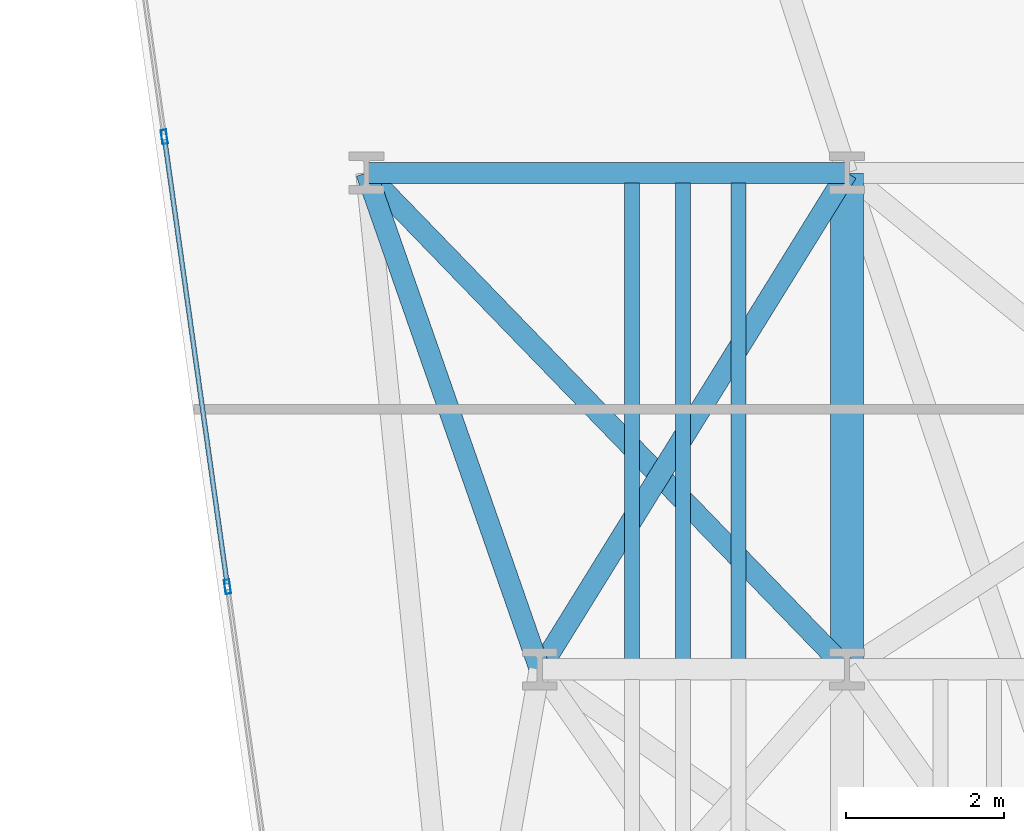
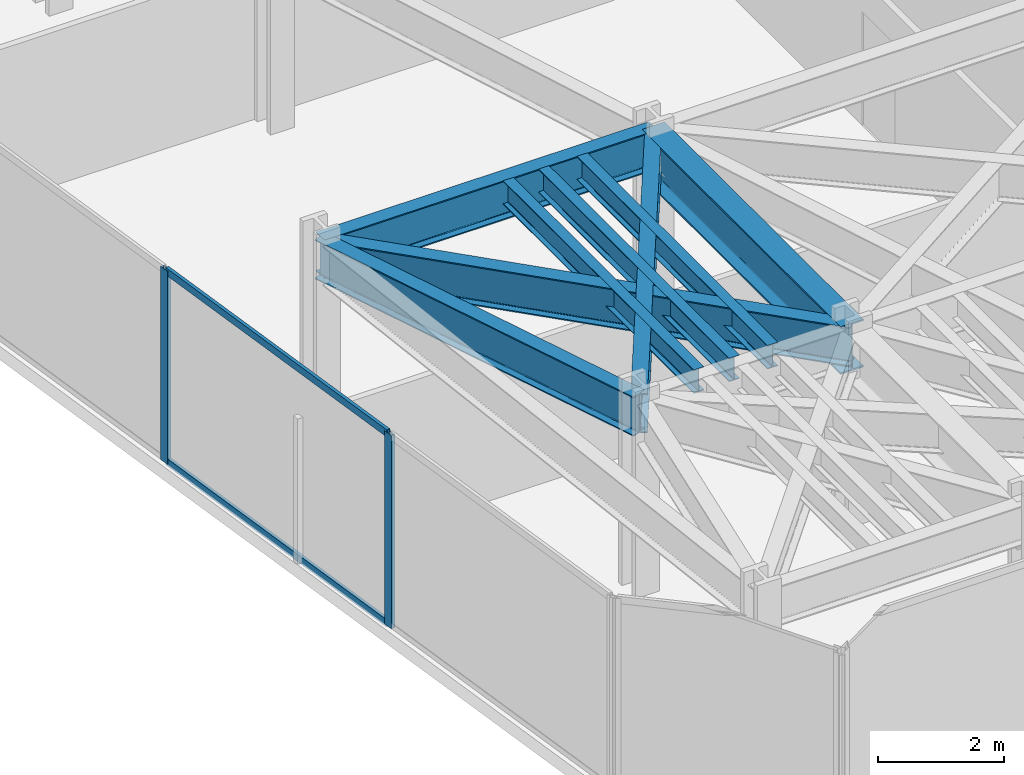
# One storey, part 4 of 25: 8 beams, 4 members, 1 element without a shape of its own.
"""IFC4 building model written with IfcOpenShell, lengths in metres."""

from ifc_helpers import new_model, si_unit, direction, frame, origin, origin_2d, place, context, subcontext, project, spatial, hollow_rectangle, i_section, extrude, material, layer, layer_set, material_profile, profile_set, type_object, element, aggregate, save


model = new_model("IFC4")

# Units and contexts
model_context = context("Model", 3, precision=1e-05, world=origin(), true_north=direction((0.0, 1.0)))
body_context = subcontext(model_context, "Body", "Model", "MODEL_VIEW")
ifc_project = project(units=[si_unit("LENGTHUNIT", "METRE"), si_unit("AREAUNIT", "SQUARE_METRE"), si_unit("VOLUMEUNIT", "CUBIC_METRE"), si_unit("PLANEANGLEUNIT", "RADIAN"), si_unit("MASSUNIT", "GRAM", prefix="KILO")], contexts=[model_context])

# Site, building, storey
site_placement = place(None, origin())
site = spatial("IfcSite", under=ifc_project, at=site_placement, CompositionType="ELEMENT")
building_placement = place(site_placement, origin())
building = spatial("IfcBuilding", under=site, at=building_placement, Name="Kravanh Interchange Tower", CompositionType="ELEMENT")
storey_placement = place(building_placement, frame((0.0, 0.0, 49.5)))
storey = spatial("IfcBuildingStorey", under=building, at=storey_placement, Name="L11", CompositionType="ELEMENT", Elevation=49.5)

# Curtain wall, members
ifc_material_1 = material(Name="Anodised Bronze Aluminium", Category="aluminium")
ifc_layer = layer(ifc_material_1, 0.179931640625)
ifc_layer_set = layer_set([ifc_layer], Name="Unitised Curtain Wall System CW-Z1 Lower Office")
curtain_wall_type = type_object("IfcCurtainWallType", Name="Unitised Curtain Wall System CW-Z1 Lower Office", PredefinedType="NOTDEFINED", material=ifc_layer_set)
curtain_wall_placement = place(storey_placement, origin())
curtain_wall = element("IfcCurtainWall", 1, at=curtain_wall_placement, inside=storey, type_object=curtain_wall_type, Name="L11 Unitised Curtain Wall CW-L11-01", PredefinedType="NOTDEFINED")
ifc_material_2 = material(Name="Anodised Bronze Aluminium", Category="aluminium")
ifc_material_profile_1 = material_profile(ifc_material_2, hollow_rectangle(XDim=0.070068359375, YDim=0.179931640625, WallThickness=0.00390625, at=origin_2d()), Name="ALU70X180X4")
ifc_profile_set_1 = profile_set([ifc_material_profile_1], Name="Anodised Bronze Aluminium")
member_type_1 = type_object("IfcMemberType", Name="Curtain Wall Mullion ALU70X180X4 Bronze", PredefinedType="MULLION", material=ifc_profile_set_1)
member_1_placement = place(storey_placement, frame((9.6376953125, 9.247314453125, 0.0), z_axis=(0.0, 0.0, 1.0), x_axis=(-0.990267585682, -0.139176538065, 0.0)))
member_1 = element("IfcMember", 2, at=member_1_placement, type_object=member_type_1, Name="CW-Z1 mullion 2", PredefinedType="MULLION", context=body_context, shape_type="SweptSolid", body=[
    extrude(hollow_rectangle(XDim=0.070068359375, YDim=0.179931640625, WallThickness=0.00390625, at=origin_2d()), origin(), (0.0, 0.0, 1.0), 3.739990234375),
])
member_2_placement = place(storey_placement, frame((8.835205078125, 14.957763671875, 0.0), z_axis=(0.0, 0.0, 1.0), x_axis=(-0.990267585682, -0.139176538065, 0.0)))
member_2 = element("IfcMember", 3, at=member_2_placement, type_object=member_type_1, Name="CW-Z1 mullion 3", PredefinedType="MULLION", context=body_context, shape_type="SweptSolid", body=[
    extrude(hollow_rectangle(XDim=0.070068359375, YDim=0.179931640625, WallThickness=0.00390625, at=origin_2d()), origin(), (0.0, 0.0, 1.0), 3.739990234375),
])
ifc_material_3 = material(Name="Anodised Bronze Aluminium", Category="aluminium")
ifc_material_profile_2 = material_profile(ifc_material_3, hollow_rectangle(XDim=0.06005859375, YDim=0.139892578125, WallThickness=0.00390625, at=origin_2d()), Name="ALU60X140X4")
ifc_profile_set_2 = profile_set([ifc_material_profile_2], Name="Anodised Bronze Aluminium")
member_type_2 = type_object("IfcMemberType", Name="Curtain Wall Transom ALU60X140X4 Bronze", PredefinedType="USERDEFINED", material=ifc_profile_set_2)
member_3_placement = place(storey_placement, frame((9.633056640625, 9.281982421875, 0.030029296875), z_axis=(-0.139200984921, 0.990264149506, 0.0), x_axis=(-0.990264149506, -0.139200984921, 0.0)))
member_3 = element("IfcMember", 4, at=member_3_placement, type_object=member_type_2, Name="CW-Z1 transom 2.1", ObjectType="TRANSOM", PredefinedType="USERDEFINED", context=body_context, shape_type="SweptSolid", body=[
    extrude(hollow_rectangle(XDim=0.06005859375, YDim=0.139892578125, WallThickness=0.00390625, at=origin_2d()), origin(), (0.0, 0.0, 1.0), 5.696533203125),
])
member_4_placement = place(storey_placement, frame((9.633056640625, 9.281982421875, 3.7099609375), z_axis=(-0.139200984921, 0.990264149506, 0.0), x_axis=(-0.990264149506, -0.139200984921, 0.0)))
member_4 = element("IfcMember", 5, at=member_4_placement, type_object=member_type_2, Name="CW-Z1 transom 2.2", ObjectType="TRANSOM", PredefinedType="USERDEFINED", context=body_context, shape_type="SweptSolid", body=[
    extrude(hollow_rectangle(XDim=0.06005859375, YDim=0.139892578125, WallThickness=0.00390625, at=origin_2d()), origin(), (0.0, 0.0, 1.0), 5.696533203125),
])
aggregate(curtain_wall, [member_1, member_2, member_3, member_4])

# Beams
ifc_material_4 = material(Name="Structural Steel S355", Category="steel")
ifc_material_profile_3 = material_profile(ifc_material_4, i_section(OverallWidth=0.41796875, OverallDepth=0.927001953125, WebThickness=0.019287109375, FlangeThickness=0.031982421875, FilletRadius=0.028076171875, at=origin_2d()), Name="W36X231")
ifc_profile_set_3 = profile_set([ifc_material_profile_3], Name="Structural Steel S355")
beam_type_1 = type_object("IfcBeamType", Name="Floor Beam W36X231 Structural Steel S355", PredefinedType="BEAM", material=ifc_profile_set_3)
beam_1_placement = place(storey_placement, frame((17.5, 8.199951171875, 3.276611328125), z_axis=(0.0, 1.0, 0.0), x_axis=(-1.0, 0.0, 0.0)))
element("IfcBeam", 6, at=beam_1_placement, inside=storey, type_object=beam_type_1, Name="L11 Primary Floor Girder 136", PredefinedType="BEAM", context=body_context, shape_type="SweptSolid", body=[
    extrude(i_section(OverallWidth=0.41796875, OverallDepth=0.927001953125, WebThickness=0.019287109375, FlangeThickness=0.031982421875, FilletRadius=0.028076171875, at=origin_2d()), origin(), (0.0, 0.0, 1.0), 6.300048828125),
])
ifc_material_5 = material(Name="Structural Steel S355", Category="steel")
ifc_material_profile_4 = material_profile(ifc_material_5, i_section(OverallWidth=0.18994140625, OverallDepth=0.45703125, WebThickness=0.009033203125, FlangeThickness=0.014404296875, FilletRadius=0.01806640625, at=origin_2d()), Name="W18X50")
ifc_profile_set_4 = profile_set([ifc_material_profile_4], Name="Structural Steel S355")
beam_type_2 = type_object("IfcBeamType", Name="Floor Joist W18X50 Structural Steel S355", PredefinedType="JOIST", material=ifc_profile_set_4)
for number, where, z_axis, x_axis, name in (
    (7, (14.77001953125, 8.32861328125, 3.511474609375), (0.0, 1.0, 0.0), (-1.0, 0.0, 0.0), "L11 Secondary Floor Joist 10"),
    (8, (15.419921875, 8.32861328125, 3.511474609375), (0.0, 1.0, 0.0), (-1.0, 0.0, 0.0), "L11 Secondary Floor Joist 11"),
    (9, (16.1220703125, 8.32861328125, 3.511474609375), (0.0, 1.0, 0.0), (-1.0, 0.0, 0.0), "L11 Secondary Floor Joist 12"),
):
    element("IfcBeam", number, at=place(storey_placement, frame(where, z_axis=z_axis, x_axis=x_axis)), inside=storey, type_object=beam_type_2, Name=name, PredefinedType="JOIST", context=body_context, shape_type="SweptSolid", body=[
        extrude(i_section(OverallWidth=0.18994140625, OverallDepth=0.45703125, WebThickness=0.009033203125, FlangeThickness=0.014404296875, FilletRadius=0.01806640625, at=origin_2d()), origin(), (0.0, 0.0, 1.0), 6.04296875),
    ])
ifc_material_6 = material(Name="Structural Steel S355", Category="steel")
ifc_material_profile_5 = material_profile(ifc_material_6, i_section(OverallWidth=0.26708984375, OverallDepth=0.761962890625, WebThickness=0.014404296875, FlangeThickness=0.021484375, FilletRadius=0.02490234375, at=origin_2d()), Name="W30X116")
ifc_profile_set_5 = profile_set([ifc_material_profile_5], Name="Structural Steel S355")
beam_type_3 = type_object("IfcBeamType", Name="Floor Spandrel W30X116 Structural Steel S355", PredefinedType="SPANDREL", material=ifc_profile_set_5)
beam_2_placement = place(storey_placement, frame((13.60009765625, 8.199951171875, 3.35888671875), z_axis=(-0.329706642337, 0.944083433812, 0.0), x_axis=(-0.944083433812, -0.329706642337, 0.0)))
element("IfcBeam", 10, at=beam_2_placement, inside=storey, type_object=beam_type_3, Name="L11 Perimeter Spandrel 134", PredefinedType="SPANDREL", context=body_context, shape_type="SweptSolid", body=[
    extrude(i_section(OverallWidth=0.26708984375, OverallDepth=0.761962890625, WebThickness=0.014404296875, FlangeThickness=0.021484375, FilletRadius=0.02490234375, at=origin_2d()), origin(), (0.0, 0.0, 1.0), 6.673095703125),
])
beam_3_placement = place(storey_placement, frame((13.60009765625, 8.199951171875, 3.35888671875), z_axis=(0.5263421368, 0.850272870923, 0.0), x_axis=(-0.850272870923, 0.5263421368, 0.0)))
element("IfcBeam", 11, at=beam_3_placement, inside=storey, type_object=beam_type_3, Name="L11 Perimeter Spandrel 135", PredefinedType="SPANDREL", context=body_context, shape_type="SweptSolid", body=[
    extrude(i_section(OverallWidth=0.26708984375, OverallDepth=0.761962890625, WebThickness=0.014404296875, FlangeThickness=0.021484375, FilletRadius=0.02490234375, at=origin_2d()), origin(), (0.0, 0.0, 1.0), 7.409423828125),
])
beam_4_placement = place(storey_placement, frame((17.5, 8.199951171875, 3.35888671875), z_axis=(-0.695614323867, 0.718415417729, 0.0), x_axis=(-0.718415417729, -0.695614323867, 0.0)))
element("IfcBeam", 12, at=beam_4_placement, inside=storey, type_object=beam_type_3, Name="L11 Perimeter Spandrel 138", PredefinedType="SPANDREL", context=body_context, shape_type="SweptSolid", body=[
    extrude(i_section(OverallWidth=0.26708984375, OverallDepth=0.761962890625, WebThickness=0.014404296875, FlangeThickness=0.021484375, FilletRadius=0.02490234375, at=origin_2d()), origin(), (0.0, 0.0, 1.0), 8.769287109375),
])
beam_5_placement = place(storey_placement, frame((11.39990234375, 14.5, 3.35888671875), z_axis=(1.0, 0.0, 0.0), x_axis=(0.0, 1.0, 0.0)))
element("IfcBeam", 13, at=beam_5_placement, inside=storey, type_object=beam_type_3, Name="L11 Perimeter Spandrel 143", PredefinedType="SPANDREL", context=body_context, shape_type="SweptSolid", body=[
    extrude(i_section(OverallWidth=0.26708984375, OverallDepth=0.761962890625, WebThickness=0.014404296875, FlangeThickness=0.021484375, FilletRadius=0.02490234375, at=origin_2d()), origin(), (0.0, 0.0, 1.0), 6.10009765625),
])

save(model, "model.ifc")
